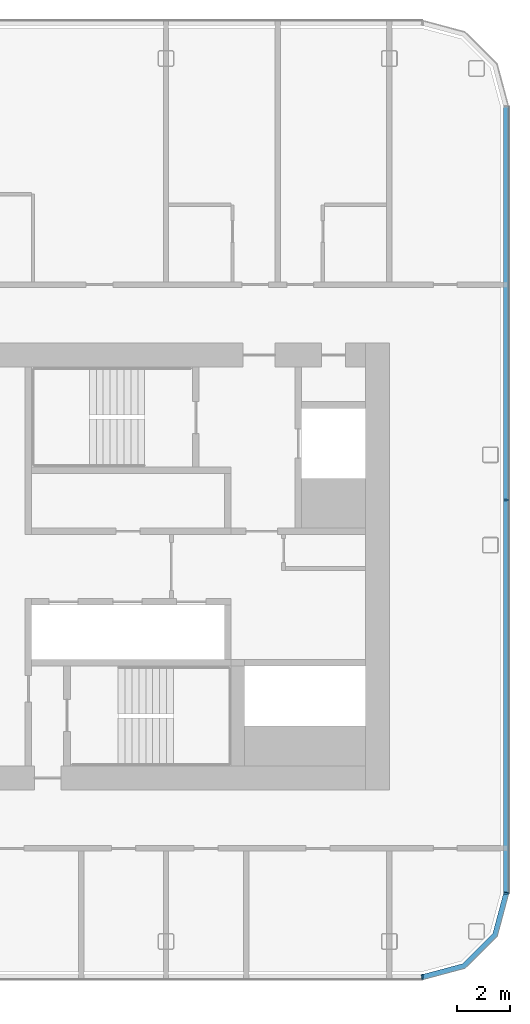
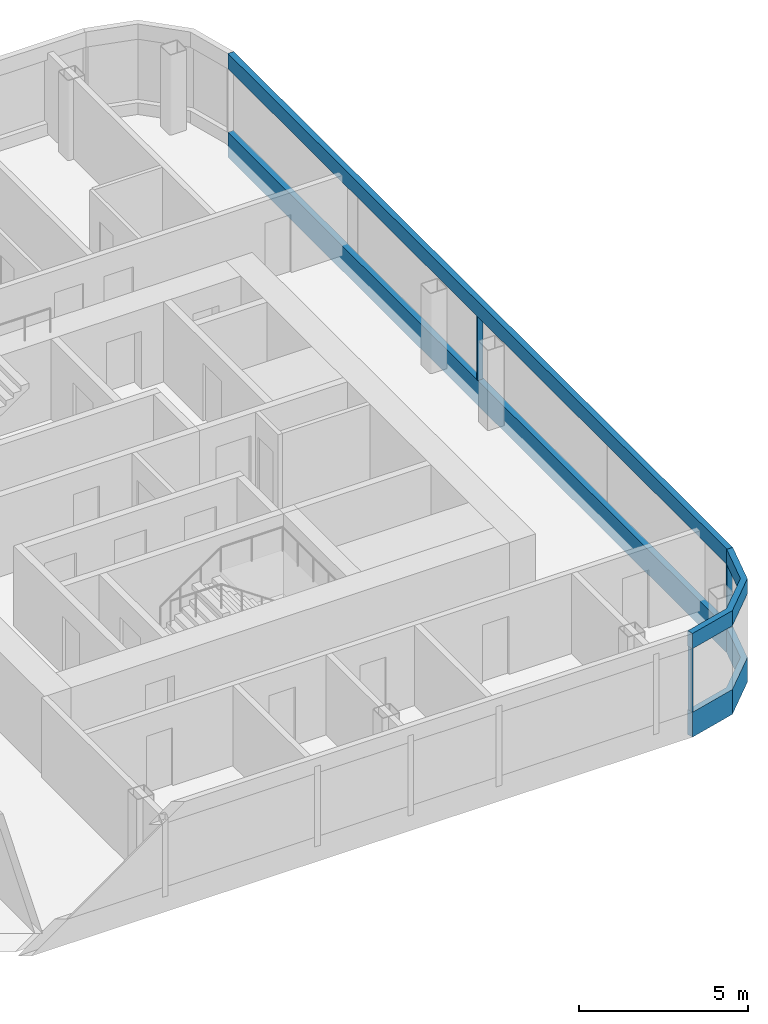
# One storey, part 10 of 26: 7 members, 3 elements without a shape of their own.
"""IFC4 building model written with IfcOpenShell, lengths in metres."""

from ifc_helpers import new_model, si_unit, direction, frame, origin, origin_2d, place, context, subcontext, project, spatial, polyline, rectangle, outline, extrude, material, layer, layer_set, material_profile, profile_set, type_object, element, aggregate, save


model = new_model("IFC4")

# Units and contexts
model_context = context("Model", 3, precision=1e-05, world=origin(), true_north=direction((0.0, 1.0)))
body_context = subcontext(model_context, "Body", "Model", "MODEL_VIEW")
ifc_project = project(units=[si_unit("LENGTHUNIT", "METRE"), si_unit("AREAUNIT", "SQUARE_METRE"), si_unit("VOLUMEUNIT", "CUBIC_METRE"), si_unit("PLANEANGLEUNIT", "RADIAN"), si_unit("MASSUNIT", "GRAM", prefix="KILO")], contexts=[model_context])

# Site, building, storey
site_placement = place(None, origin())
site = spatial("IfcSite", under=ifc_project, at=site_placement, CompositionType="ELEMENT")
building_placement = place(site_placement, origin())
building = spatial("IfcBuilding", under=site, at=building_placement, Name="Hakoniwa Tower and Hamabe Station Hall", CompositionType="ELEMENT")
storey_placement = place(building_placement, frame((0.0, 0.0, 225.0)))
storey = spatial("IfcBuildingStorey", under=building, at=storey_placement, Name="L64", CompositionType="ELEMENT", Elevation=225.0)

# Curtain wall, member
ifc_material_1 = material(Name="Dark low-e laminated glass", Category="glass")
ifc_layer = layer(ifc_material_1, 0.199951171875)
ifc_layer_set = layer_set([ifc_layer], Name="CW-1 UNITISED GUEST")
curtain_wall_type = type_object("IfcCurtainWallType", Name="CW-1 UNITISED GUEST", PredefinedType="NOTDEFINED", material=ifc_layer_set)
curtain_wall_1_placement = place(storey_placement, origin())
curtain_wall_1 = element("IfcCurtainWall", 1, at=curtain_wall_1_placement, inside=storey, type_object=curtain_wall_type, Name="CW-1 curtain wall", PredefinedType="NOTDEFINED")
ifc_material_2 = material(Name="Aluminium 6063-T5 black anodised", Category="aluminium")
ifc_material_profile_1 = material_profile(ifc_material_2, rectangle(XDim=0.199951171875, YDim=0.550048828125, at=origin_2d()), Name="CW HEAD BAND 550X200")
ifc_profile_set_1 = profile_set([ifc_material_profile_1], Name="Aluminium 6063-T5 black anodised")
member_type_1 = type_object("IfcMemberType", Name="CW HEAD BAND 550X200", PredefinedType="USERDEFINED", material=ifc_profile_set_1)
member_1_placement = place(storey_placement, frame((38.0, -12.28955078125, 2.925048828125), z_axis=(0.0, 1.0, 0.0), x_axis=(-1.0, 0.0, 0.0)))
member_1 = element("IfcMember", 2, at=member_1_placement, type_object=member_type_1, Name="CW-1 transom", ObjectType="TRANSOM", PredefinedType="USERDEFINED", context=body_context, shape_type="SweptSolid", body=[
    extrude(rectangle(XDim=0.199951171875, YDim=0.550048828125, at=origin_2d()), origin(), (0.0, 0.0, 1.0), 29.5791015625),
])

curtain_wall_2_placement = place(storey_placement, origin())
curtain_wall_2 = element("IfcCurtainWall", 3, at=curtain_wall_2_placement, inside=storey, type_object=curtain_wall_type, Name="CW-1 curtain wall", PredefinedType="NOTDEFINED")
member_2_placement = place(storey_placement, frame((0.0, 0.0, 2.64990234375)))
member_2 = element("IfcMember", 4, at=member_2_placement, type_object=member_type_1, Name="CW-1 transom", ObjectType="TRANSOM", PredefinedType="USERDEFINED", context=body_context, shape_type="SweptSolid", body=[
    extrude(outline(polyline([(34.839599609375, -15.550048828125), (36.455322265625, -15.116943359375), (37.6669921875, -13.9052734375), (38.10009765625, -12.28955078125), (37.90673828125, -12.23779296875), (37.48779296875, -13.8017578125), (36.351806640625, -14.937744140625), (34.787841796875, -15.35693359375), (34.839599609375, -15.550048828125)])), origin(), (0.0, 0.0, 1.0), 0.550048828125),
])

# Member
ifc_material_3 = material(Name="Aluminium 6063-T5 black anodised", Category="aluminium")
ifc_material_profile_2 = material_profile(ifc_material_3, rectangle(XDim=0.199951171875, YDim=0.89990234375, at=origin_2d()), Name="CW SLAB-EDGE BAND 900X200")
ifc_profile_set_2 = profile_set([ifc_material_profile_2], Name="Aluminium 6063-T5 black anodised")
member_type_2 = type_object("IfcMemberType", Name="CW SLAB-EDGE BAND 900X200", PredefinedType="USERDEFINED", material=ifc_profile_set_2)
member_3_placement = place(storey_placement, frame((38.0, -12.28955078125, -0.10009765625), z_axis=(0.0, 1.0, 0.0), x_axis=(-1.0, 0.0, 0.0)))
member_3 = element("IfcMember", 5, at=member_3_placement, type_object=member_type_2, Name="CW-1 transom", ObjectType="TRANSOM", PredefinedType="USERDEFINED", context=body_context, shape_type="SweptSolid", body=[
    extrude(rectangle(XDim=0.199951171875, YDim=0.89990234375, at=origin_2d()), origin(), (0.0, 0.0, 1.0), 29.5791015625),
])

member_4_placement = place(storey_placement, frame((0.0, 0.0, -0.550048828125)))
member_4 = element("IfcMember", 6, at=member_4_placement, type_object=member_type_2, Name="CW-1 transom", ObjectType="TRANSOM", PredefinedType="USERDEFINED", context=body_context, shape_type="SweptSolid", body=[
    extrude(outline(polyline([(34.839599609375, -15.550048828125), (36.455322265625, -15.116943359375), (37.6669921875, -13.9052734375), (38.10009765625, -12.28955078125), (37.90673828125, -12.23779296875), (37.48779296875, -13.8017578125), (36.351806640625, -14.937744140625), (34.787841796875, -15.35693359375), (34.839599609375, -15.550048828125)])), origin(), (0.0, 0.0, 1.0), 0.900146484375),
])

aggregate(curtain_wall_2, [member_4, member_2])

ifc_material_4 = material(Name="Aluminium 6063-T5 black anodised", Category="aluminium")
ifc_material_profile_3 = material_profile(ifc_material_4, rectangle(XDim=0.06005859375, YDim=0.179931640625, at=origin_2d()), Name="CW-1 MULLION 60X180")
ifc_profile_set_3 = profile_set([ifc_material_profile_3], Name="Aluminium 6063-T5 black anodised")
member_type_3 = type_object("IfcMemberType", Name="CW-1 MULLION 60X180", PredefinedType="MULLION", material=ifc_profile_set_3)
member_5_placement = place(storey_placement, frame((37.98193359375, -12.28955078125, 0.35009765625), z_axis=(0.0, 0.0, 1.0), x_axis=(0.0, 1.0, 0.0)))
member_5 = element("IfcMember", 7, at=member_5_placement, type_object=member_type_3, Name="CW-1 mullion", PredefinedType="MULLION", context=body_context, shape_type="SweptSolid", body=[
    extrude(rectangle(XDim=0.06005859375, YDim=0.179931640625, at=origin_2d()), origin(), (0.0, 0.0, 1.0), 2.2998046875),
])

member_6_placement = place(storey_placement, frame((37.98193359375, 2.5, 0.35009765625), z_axis=(0.0, 0.0, 1.0), x_axis=(0.0, 1.0, 0.0)))
member_6 = element("IfcMember", 8, at=member_6_placement, type_object=member_type_3, Name="CW-1 mullion", PredefinedType="MULLION", context=body_context, shape_type="SweptSolid", body=[
    extrude(rectangle(XDim=0.06005859375, YDim=0.179931640625, at=origin_2d()), origin(), (0.0, 0.0, 1.0), 2.2998046875),
])

aggregate(curtain_wall_1, [member_5, member_6, member_3, member_1])

# Curtain wall, member
curtain_wall_3_placement = place(storey_placement, origin())
curtain_wall_3 = element("IfcCurtainWall", 9, at=curtain_wall_3_placement, inside=storey, type_object=curtain_wall_type, Name="CW-1 curtain wall", PredefinedType="NOTDEFINED")
member_7_placement = place(storey_placement, frame((34.839599609375, -15.431884765625, 0.35009765625), z_axis=(0.0, 0.0, 1.0), x_axis=(1.0, 0.0, 0.0)))
member_7 = element("IfcMember", 10, at=member_7_placement, type_object=member_type_3, Name="CW-1 mullion", PredefinedType="MULLION", context=body_context, shape_type="SweptSolid", body=[
    extrude(rectangle(XDim=0.06005859375, YDim=0.179931640625, at=origin_2d()), origin(), (0.0, 0.0, 1.0), 2.2998046875),
])
aggregate(curtain_wall_3, [member_7])

save(model, "model.ifc")
